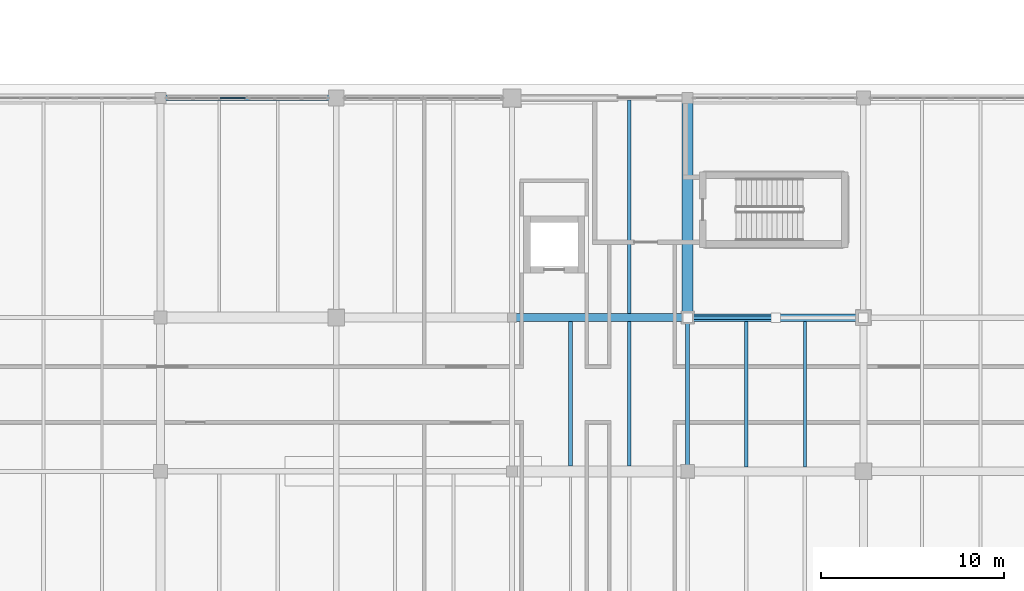
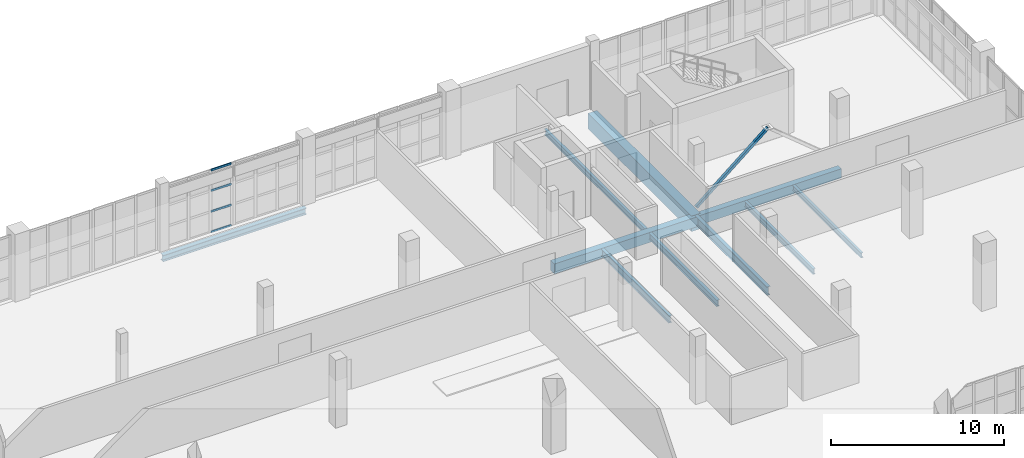
# One storey, part 25 of 121: 10 beams, 5 members, 1 element without a shape of its own.
"""IFC4 building model written with IfcOpenShell, lengths in metres."""

from ifc_helpers import new_model, si_unit, direction, frame, origin, origin_2d, place, context, subcontext, project, spatial, rectangle, hollow_rectangle, i_section, extrude, material, layer, layer_set, material_profile, profile_set, type_object, element, aggregate, save


model = new_model("IFC4")

# Units and contexts
model_context = context("Model", 3, precision=1e-05, world=origin(), true_north=direction((0.0, 1.0)))
body_context = subcontext(model_context, "Body", "Model", "MODEL_VIEW")
ifc_project = project(units=[si_unit("LENGTHUNIT", "METRE"), si_unit("AREAUNIT", "SQUARE_METRE"), si_unit("VOLUMEUNIT", "CUBIC_METRE"), si_unit("PLANEANGLEUNIT", "RADIAN"), si_unit("MASSUNIT", "GRAM", prefix="KILO")], contexts=[model_context])

# Site, building, storey
site_placement = place(None, origin())
site = spatial("IfcSite", under=ifc_project, at=site_placement, CompositionType="ELEMENT")
building_placement = place(site_placement, origin())
building = spatial("IfcBuilding", under=site, at=building_placement, Name="Zereglee Splitstone Museum", CompositionType="ELEMENT")
storey_placement = place(building_placement, origin())
storey = spatial("IfcBuildingStorey", under=building, at=storey_placement, Name="L00", CompositionType="ELEMENT", Elevation=0.0)

# Beams
ifc_material_1 = material(Name="Concrete C40/50", Category="concrete")
ifc_material_profile_1 = material_profile(ifc_material_1, rectangle(XDim=0.39990234375, YDim=0.64990234375, at=origin_2d()), Name="RC 400x650")
ifc_profile_set_1 = profile_set([ifc_material_profile_1], Name="Concrete C40/50")
beam_type_1 = type_object("IfcBeamType", Name="BG-04", PredefinedType="BEAM", material=ifc_profile_set_1)
beam_1_placement = place(storey_placement, frame((126.0, 38.39990234375, -0.7451171875), z_axis=(1.0, 0.0, 0.0), x_axis=(0.0, 1.0, 0.0)))
element("IfcBeam", 1, at=beam_1_placement, inside=storey, type_object=beam_type_1, Name="Primary Girder L00 E (126.0-135.6)", PredefinedType="BEAM", context=body_context, shape_type="SweptSolid", body=[
    extrude(rectangle(XDim=0.39990234375, YDim=0.64990234375, at=origin_2d()), origin(), (0.0, 0.0, 1.0), 9.60009765625),
])
ifc_material_profile_2 = material_profile(ifc_material_1, rectangle(XDim=0.449951171875, YDim=0.699951171875, at=origin_2d()), Name="RC 450x700")
ifc_profile_set_2 = profile_set([ifc_material_profile_2], Name="Concrete C40/50")
beam_type_2 = type_object("IfcBeamType", Name="BG-03", PredefinedType="BEAM", material=ifc_profile_set_2)
beam_2_placement = place(storey_placement, frame((116.39990234375, 38.39990234375, -0.77001953125), z_axis=(1.0, 0.0, 0.0), x_axis=(0.0, 1.0, 0.0)))
element("IfcBeam", 2, at=beam_2_placement, inside=storey, type_object=beam_type_2, Name="Primary Girder L00 E (116.4-126.0)", PredefinedType="BEAM", context=body_context, shape_type="SweptSolid", body=[
    extrude(rectangle(XDim=0.449951171875, YDim=0.699951171875, at=origin_2d()), origin(), (0.0, 0.0, 1.0), 9.60009765625),
])
ifc_material_profile_3 = material_profile(ifc_material_1, rectangle(XDim=0.60009765625, YDim=1.10009765625, at=origin_2d()), Name="RC 600x1100")
ifc_profile_set_3 = profile_set([ifc_material_profile_3], Name="Concrete C40/50")
beam_type_3 = type_object("IfcBeamType", Name="BG-01", PredefinedType="BEAM", material=ifc_profile_set_3)
beam_3_placement = place(storey_placement, frame((126.0, 38.39990234375, -0.969970703125), z_axis=(0.0, 1.0, 0.0), x_axis=(-1.0, 0.0, 0.0)))
element("IfcBeam", 3, at=beam_3_placement, inside=storey, type_object=beam_type_3, Name="Primary Girder L00 15 (38.4-50.4)", PredefinedType="BEAM", context=body_context, shape_type="SweptSolid", body=[
    extrude(rectangle(XDim=0.60009765625, YDim=1.10009765625, at=origin_2d()), origin(), (0.0, 0.0, 1.0), 12.0),
])

# Member
ifc_material_2 = material(Name="Steel S355J2H", Category="steel")
ifc_material_profile_4 = material_profile(ifc_material_2, hollow_rectangle(XDim=0.179931640625, YDim=0.179931640625, WallThickness=0.010009765625, at=origin_2d()), Name="SHS 180x180x10")
ifc_profile_set_4 = profile_set([ifc_material_profile_4], Name="Steel S355J2H")
member_type_1 = type_object("IfcMemberType", Name="TB-08", PredefinedType="BRACE", material=ifc_profile_set_4)
member_1_placement = place(storey_placement, frame((126.0, 38.39990234375, 0.1201171875), z_axis=(0.771379537849, 0.0, 0.636375367678), x_axis=(0.0, 1.0, 0.0)))
element("IfcMember", 4, at=member_1_placement, inside=storey, type_object=member_type_1, Name="Lateral Braced Frame Chevron L00-010A", PredefinedType="BRACE", context=body_context, shape_type="SweptSolid", body=[
    extrude(hollow_rectangle(XDim=0.179931640625, YDim=0.179931640625, WallThickness=0.010009765625, at=origin_2d()), origin(), (0.0, 0.0, 1.0), 6.22265625),
])

# Curtain wall, members
ifc_material_3 = material(Name="Triple-glazed low-E argon glass and bronze-anodised aluminium", Category="aluminium")
ifc_layer = layer(ifc_material_3, 0.179931640625)
ifc_layer_set = layer_set([ifc_layer], Name="Triple-glazed low-E argon glass and bronze-anodised aluminium")
curtain_wall_type = type_object("IfcCurtainWallType", Name="CW-0439-442", PredefinedType="USERDEFINED", material=ifc_layer_set)
curtain_wall_placement = place(storey_placement, origin())
curtain_wall = element("IfcCurtainWall", 5, at=curtain_wall_placement, inside=storey, type_object=curtain_wall_type, Name="Glazed Curtain Wall CW-0439-442 (L00)", ObjectType="GLAZED CURTAIN WALL", PredefinedType="USERDEFINED")
ifc_material_4 = material(Name="Thermally broken bronze-anodised aluminium", Category="aluminium")
ifc_material_profile_5 = material_profile(ifc_material_4, rectangle(XDim=0.06494140625, YDim=0.139892578125, at=origin_2d()), Name="CW TRAN 65x140")
ifc_profile_set_5 = profile_set([ifc_material_profile_5], Name="Thermally broken bronze-anodised aluminium")
member_type_2 = type_object("IfcMemberType", Name="CWT-01", PredefinedType="USERDEFINED", material=ifc_profile_set_5)
member_2_placement = place(storey_placement, frame((101.83251953125, 50.39990234375, 0.032470703125), z_axis=(-1.0, 0.0, 0.0), x_axis=(0.0, -1.0, 0.0)))
member_2 = element("IfcMember", 6, at=member_2_placement, type_object=member_type_2, Name="CW-0439-442 transom 1.1", ObjectType="TRANSOM", PredefinedType="USERDEFINED", context=body_context, shape_type="SweptSolid", body=[
    extrude(rectangle(XDim=0.06494140625, YDim=0.139892578125, at=origin_2d()), origin(), (0.0, 0.0, 1.0), 1.36572265625),
])
member_3_placement = place(storey_placement, frame((101.83251953125, 50.39990234375, 1.473388671875), z_axis=(-1.0, 0.0, 0.0), x_axis=(0.0, -1.0, 0.0)))
member_3 = element("IfcMember", 7, at=member_3_placement, type_object=member_type_2, Name="CW-0439-442 transom 1.2", ObjectType="TRANSOM", PredefinedType="USERDEFINED", context=body_context, shape_type="SweptSolid", body=[
    extrude(rectangle(XDim=0.06494140625, YDim=0.139892578125, at=origin_2d()), origin(), (0.0, 0.0, 1.0), 1.36572265625),
])
member_4_placement = place(storey_placement, frame((101.83251953125, 50.39990234375, 2.94677734375), z_axis=(-1.0, 0.0, 0.0), x_axis=(0.0, -1.0, 0.0)))
member_4 = element("IfcMember", 8, at=member_4_placement, type_object=member_type_2, Name="CW-0439-442 transom 1.3", ObjectType="TRANSOM", PredefinedType="USERDEFINED", context=body_context, shape_type="SweptSolid", body=[
    extrude(rectangle(XDim=0.06494140625, YDim=0.139892578125, at=origin_2d()), origin(), (0.0, 0.0, 1.0), 1.36572265625),
])
member_5_placement = place(storey_placement, frame((101.83251953125, 50.39990234375, 4.387451171875), z_axis=(-1.0, 0.0, 0.0), x_axis=(0.0, -1.0, 0.0)))
member_5 = element("IfcMember", 9, at=member_5_placement, type_object=member_type_2, Name="CW-0439-442 transom 1.4", ObjectType="TRANSOM", PredefinedType="USERDEFINED", context=body_context, shape_type="SweptSolid", body=[
    extrude(rectangle(XDim=0.06494140625, YDim=0.139892578125, at=origin_2d()), origin(), (0.0, 0.0, 1.0), 1.36572265625),
])
aggregate(curtain_wall, [member_2, member_3, member_4, member_5])

# Beams
ifc_material_5 = material(Name="Steel S355J2", Category="steel")
ifc_material_profile_6 = material_profile(ifc_material_5, i_section(OverallWidth=0.219970703125, OverallDepth=0.60009765625, WebThickness=0.011962890625, FlangeThickness=0.01904296875, FilletRadius=0.02392578125, at=origin_2d()), Name="IPE 600")
ifc_profile_set_6 = profile_set([ifc_material_profile_6], Name="Steel S355J2")
beam_type_4 = type_object("IfcBeamType", Name="BG-15", PredefinedType="BEAM", material=ifc_profile_set_6)
beam_4_placement = place(storey_placement, frame((126.0, 30.0, -0.719970703125), z_axis=(0.0, 1.0, 0.0), x_axis=(-1.0, 0.0, 0.0)))
element("IfcBeam", 10, at=beam_4_placement, inside=storey, type_object=beam_type_4, Name="Primary Girder L00 15 (30.0-38.4)", PredefinedType="BEAM", context=body_context, shape_type="SweptSolid", body=[
    extrude(i_section(OverallWidth=0.219970703125, OverallDepth=0.60009765625, WebThickness=0.011962890625, FlangeThickness=0.01904296875, FilletRadius=0.02392578125, at=origin_2d()), origin(), (0.0, 0.0, 1.0), 8.39990234375),
])
ifc_material_profile_7 = material_profile(ifc_material_5, i_section(OverallWidth=0.169921875, OverallDepth=0.360107421875, WebThickness=0.008056640625, FlangeThickness=0.0126953125, FilletRadius=0.01806640625, at=origin_2d()), Name="IPE 360")
ifc_profile_set_7 = profile_set([ifc_material_profile_7], Name="Steel S355J2")
beam_type_5 = type_object("IfcBeamType", Name="BJ-04", PredefinedType="JOIST", material=ifc_profile_set_7)
beam_5_placement = place(storey_placement, frame((132.39990234375, 30.25, -0.60009765625), z_axis=(0.0, 1.0, 0.0), x_axis=(-1.0, 0.0, 0.0)))
element("IfcBeam", 11, at=beam_5_placement, inside=storey, type_object=beam_type_5, Name="Secondary Floor Joist L00-0360", PredefinedType="JOIST", context=body_context, shape_type="SweptSolid", body=[
    extrude(i_section(OverallWidth=0.169921875, OverallDepth=0.360107421875, WebThickness=0.008056640625, FlangeThickness=0.0126953125, FilletRadius=0.01806640625, at=origin_2d()), origin(), (0.0, 0.0, 1.0), 7.949951171875),
])
ifc_material_profile_8 = material_profile(ifc_material_5, i_section(OverallWidth=0.179931640625, OverallDepth=0.39990234375, WebThickness=0.008544921875, FlangeThickness=0.013427734375, FilletRadius=0.02099609375, at=origin_2d()), Name="IPE 400")
ifc_profile_set_8 = profile_set([ifc_material_profile_8], Name="Steel S355J2")
beam_type_6 = type_object("IfcBeamType", Name="BJ-03", PredefinedType="JOIST", material=ifc_profile_set_8)
beam_6_placement = place(storey_placement, frame((129.199951171875, 30.25, -0.6201171875), z_axis=(0.0, 1.0, 0.0), x_axis=(-1.0, 0.0, 0.0)))
element("IfcBeam", 12, at=beam_6_placement, inside=storey, type_object=beam_type_6, Name="Secondary Floor Joist L00-0359", PredefinedType="JOIST", context=body_context, shape_type="SweptSolid", body=[
    extrude(i_section(OverallWidth=0.179931640625, OverallDepth=0.39990234375, WebThickness=0.008544921875, FlangeThickness=0.013427734375, FilletRadius=0.02099609375, at=origin_2d()), origin(), (0.0, 0.0, 1.0), 7.949951171875),
])
beam_7_placement = place(storey_placement, frame((122.800048828125, 38.625, -0.6201171875), z_axis=(0.0, 1.0, 0.0), x_axis=(-1.0, 0.0, 0.0)))
element("IfcBeam", 13, at=beam_7_placement, inside=storey, type_object=beam_type_6, Name="Secondary Floor Joist L00-0401", PredefinedType="JOIST", context=body_context, shape_type="SweptSolid", body=[
    extrude(i_section(OverallWidth=0.179931640625, OverallDepth=0.39990234375, WebThickness=0.008544921875, FlangeThickness=0.013427734375, FilletRadius=0.02099609375, at=origin_2d()), origin(), (0.0, 0.0, 1.0), 11.675048828125),
])
ifc_material_profile_9 = material_profile(ifc_material_5, i_section(OverallWidth=0.18994140625, OverallDepth=0.449951171875, WebThickness=0.009521484375, FlangeThickness=0.0146484375, FilletRadius=0.02099609375, at=origin_2d()), Name="IPE 450")
ifc_profile_set_9 = profile_set([ifc_material_profile_9], Name="Steel S355J2")
beam_type_7 = type_object("IfcBeamType", Name="BJ-02", PredefinedType="JOIST", material=ifc_profile_set_9)
beam_8_placement = place(storey_placement, frame((122.800048828125, 30.300048828125, -0.64501953125), z_axis=(0.0, 1.0, 0.0), x_axis=(-1.0, 0.0, 0.0)))
element("IfcBeam", 14, at=beam_8_placement, inside=storey, type_object=beam_type_7, Name="Secondary Floor Joist L00-0358", PredefinedType="JOIST", context=body_context, shape_type="SweptSolid", body=[
    extrude(i_section(OverallWidth=0.18994140625, OverallDepth=0.449951171875, WebThickness=0.009521484375, FlangeThickness=0.0146484375, FilletRadius=0.02099609375, at=origin_2d()), origin(), (0.0, 0.0, 1.0), 7.875),
])
ifc_material_profile_10 = material_profile(ifc_material_5, i_section(OverallWidth=0.199951171875, OverallDepth=0.5, WebThickness=0.01025390625, FlangeThickness=0.01611328125, FilletRadius=0.02099609375, at=origin_2d()), Name="IPE 500")
ifc_profile_set_10 = profile_set([ifc_material_profile_10], Name="Steel S355J2")
beam_type_8 = type_object("IfcBeamType", Name="BJ-01", PredefinedType="JOIST", material=ifc_profile_set_10)
beam_9_placement = place(storey_placement, frame((119.60009765625, 30.300048828125, -0.669921875), z_axis=(0.0, 1.0, 0.0), x_axis=(-1.0, 0.0, 0.0)))
element("IfcBeam", 15, at=beam_9_placement, inside=storey, type_object=beam_type_8, Name="Secondary Floor Joist L00-0357", PredefinedType="JOIST", context=body_context, shape_type="SweptSolid", body=[
    extrude(i_section(OverallWidth=0.199951171875, OverallDepth=0.5, WebThickness=0.01025390625, FlangeThickness=0.01611328125, FilletRadius=0.02099609375, at=origin_2d()), origin(), (0.0, 0.0, 1.0), 7.875),
])
ifc_material_profile_11 = material_profile(ifc_material_5, i_section(OverallWidth=0.300048828125, OverallDepth=0.449951171875, WebThickness=0.013916015625, FlangeThickness=0.02587890625, FilletRadius=0.027099609375, at=origin_2d()), Name="HE 450 B")
ifc_profile_set_11 = profile_set([ifc_material_profile_11], Name="Steel S355J2")
beam_type_9 = type_object("IfcBeamType", Name="SP-02", PredefinedType="SPANDREL", material=ifc_profile_set_11)
beam_10_placement = place(storey_placement, frame((97.199951171875, 50.39990234375, -0.64501953125), z_axis=(1.0, 0.0, 0.0), x_axis=(0.0, 1.0, 0.0)))
element("IfcBeam", 16, at=beam_10_placement, inside=storey, type_object=beam_type_9, Name="Primary Girder L00 F (97.2-106.8)", PredefinedType="SPANDREL", context=body_context, shape_type="SweptSolid", body=[
    extrude(i_section(OverallWidth=0.300048828125, OverallDepth=0.449951171875, WebThickness=0.013916015625, FlangeThickness=0.02587890625, FilletRadius=0.027099609375, at=origin_2d()), origin(), (0.0, 0.0, 1.0), 9.60009765625),
])

save(model, "model.ifc")
